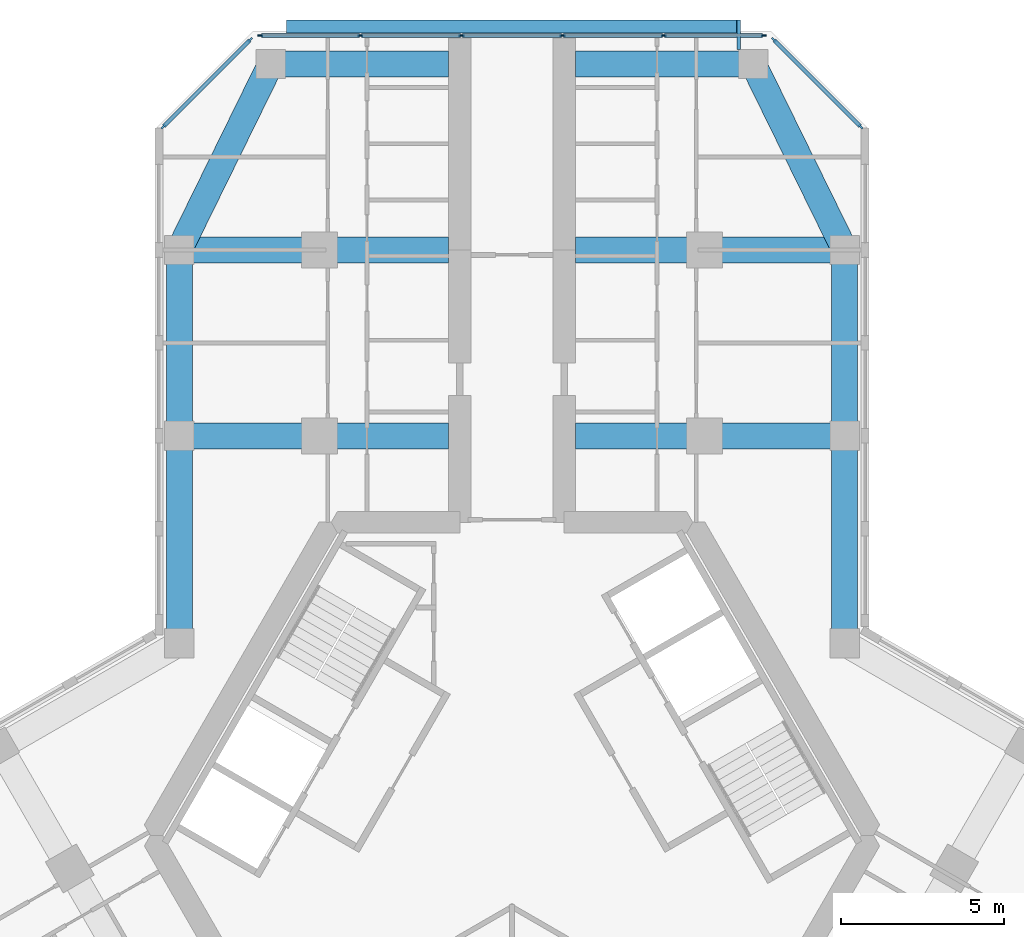
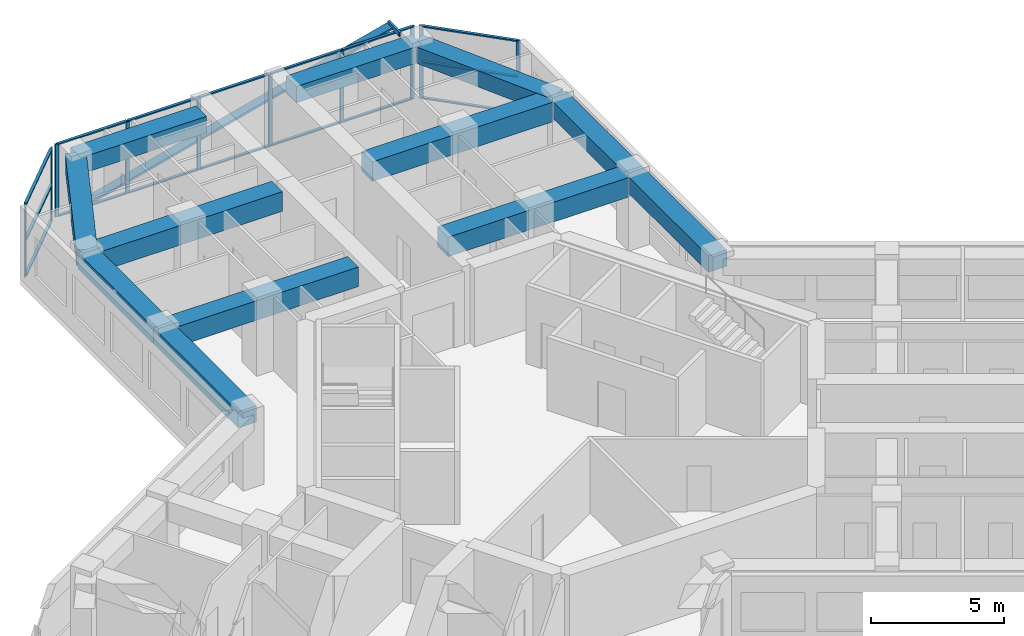
# One storey, part 6 of 16: 28 members, 12 beams, 3 elements without a shape of their own.
"""IFC4 building model written with IfcOpenShell, lengths in metres."""

from ifc_helpers import new_model, si_unit, direction, frame, origin, origin_2d, place, context, subcontext, project, spatial, rectangle, hollow_rectangle, extrude, material, material_profile, profile_set, type_object, element, aggregate, save


model = new_model("IFC4")

# Units and contexts
model_context = context("Model", 3, precision=1e-05, world=origin(), true_north=direction((0.0, 1.0)))
body_context = subcontext(model_context, "Body", "Model", "MODEL_VIEW")
ifc_project = project(units=[si_unit("LENGTHUNIT", "METRE"), si_unit("AREAUNIT", "SQUARE_METRE"), si_unit("VOLUMEUNIT", "CUBIC_METRE"), si_unit("PLANEANGLEUNIT", "RADIAN"), si_unit("MASSUNIT", "GRAM", prefix="KILO")], contexts=[model_context])

# Site, building, storey
site_placement = place(None, origin())
site = spatial("IfcSite", under=ifc_project, at=site_placement, CompositionType="ELEMENT")
building_placement = place(site_placement, origin())
building = spatial("IfcBuilding", under=site, at=building_placement, Name="Kosmar Iwan School Tower", CompositionType="ELEMENT")
storey_placement = place(building_placement, frame((0.0, 0.0, 211.800048828125)))
storey = spatial("IfcBuildingStorey", under=building, at=storey_placement, Name="L53", CompositionType="ELEMENT", Elevation=211.800048828125)

# Members
ifc_material_1 = material(Name="Black anodised aluminium", Category="aluminium")
ifc_material_profile_1 = material_profile(ifc_material_1, rectangle(XDim=0.10009765625, YDim=0.39990234375, at=origin_2d()), Name="FIN 100x400")
ifc_profile_set_1 = profile_set([ifc_material_profile_1], Name="Black anodised aluminium")
member_type_1 = type_object("IfcMemberType", Name="Diagonal fin 100x400", PredefinedType="USERDEFINED", material=ifc_profile_set_1)
member_1_placement = place(storey_placement, frame((-6.898193359375, 24.800048828125, -0.150146484375), z_axis=(0.967599450335, 0.0, 0.252490205179), x_axis=(-0.252490205179, 0.0, 0.967599450335)))
element("IfcMember", 1, at=member_1_placement, inside=storey, type_object=member_type_1, Name="Diagonal fin L53-F06", ObjectType="FIN", PredefinedType="USERDEFINED", context=body_context, shape_type="SweptSolid", body=[
    extrude(rectangle(XDim=0.10009765625, YDim=0.39990234375, at=origin_2d()), origin(), (0.0, 0.0, 1.0), 14.25830078125),
])
ifc_material_2 = material(Name="Steel S355", Category="steel")
ifc_material_profile_2 = material_profile(ifc_material_2, hollow_rectangle(XDim=0.10009765625, YDim=0.199951171875, WallThickness=0.008056640625, at=origin_2d()), Name="RHS 200x100x8")
ifc_profile_set_2 = profile_set([ifc_material_profile_2], Name="Steel S355")
member_type_2 = type_object("IfcMemberType", Name="Fin bracket RHS 200x100", PredefinedType="USERDEFINED", material=ifc_profile_set_2)
member_2_placement = place(storey_placement, frame((6.949951171875, 24.10009765625, 3.474853515625), z_axis=(0.0, 1.0, 0.0), x_axis=(-1.0, 0.0, 0.0)))
element("IfcMember", 2, at=member_2_placement, inside=storey, type_object=member_type_2, Name="Fin bracket L54", ObjectType="FIN BRACKET", PredefinedType="USERDEFINED", context=body_context, shape_type="SweptSolid", body=[
    extrude(hollow_rectangle(XDim=0.10009765625, YDim=0.199951171875, WallThickness=0.008056640625, at=origin_2d()), origin(), (0.0, 0.0, 1.0), 0.89990234375),
])

# Curtain wall, members
ifc_material_3 = material(Name="Dark glass in black aluminium frame", Category="aluminium")
curtain_wall_type_1 = type_object("IfcCurtainWallType", Name="Chamfer curtain wall dark glass", PredefinedType="USERDEFINED", material=ifc_material_3)
curtain_wall_1_placement = place(storey_placement, origin())
curtain_wall_1 = element("IfcCurtainWall", 3, at=curtain_wall_1_placement, inside=storey, type_object=curtain_wall_type_1, Name="Curtain wall L53-F05", ObjectType="FACETED CURTAIN WALL", PredefinedType="USERDEFINED")
ifc_material_4 = material(Name="Black anodised aluminium", Category="aluminium")
ifc_material_profile_3 = material_profile(ifc_material_4, rectangle(XDim=0.06005859375, YDim=0.159912109375, at=origin_2d()), Name="MULLION 60x160")
ifc_profile_set_3 = profile_set([ifc_material_profile_3], Name="Black anodised aluminium")
member_type_3 = type_object("IfcMemberType", Name="Mullion 60x160", PredefinedType="MULLION", material=ifc_profile_set_3)
member_3_placement = place(storey_placement, frame((10.69775390625, 21.7255859375, 0.0), z_axis=(0.0, 0.0, 1.0), x_axis=(-0.707106781187, -0.707106781187, 0.0)))
member_3 = element("IfcMember", 4, at=member_3_placement, type_object=member_type_3, Name="CW2 mullion 1", PredefinedType="MULLION", context=body_context, shape_type="SweptSolid", body=[
    extrude(rectangle(XDim=0.06005859375, YDim=0.159912109375, at=origin_2d()), origin(), (0.0, 0.0, 1.0), 3.349853515625),
])
member_4_placement = place(storey_placement, frame((8.025390625, 24.397705078125, 0.0), z_axis=(0.0, 0.0, 1.0), x_axis=(-0.707106781187, -0.707106781187, 0.0)))
member_4 = element("IfcMember", 5, at=member_4_placement, type_object=member_type_3, Name="CW2 mullion 2", PredefinedType="MULLION", context=body_context, shape_type="SweptSolid", body=[
    extrude(rectangle(XDim=0.06005859375, YDim=0.159912109375, at=origin_2d()), origin(), (0.0, 0.0, 1.0), 3.349853515625),
])

ifc_material_5 = material(Name="Dark glass in black aluminium frame", Category="aluminium")
curtain_wall_type_2 = type_object("IfcCurtainWallType", Name="Tower curtain wall dark glass", PredefinedType="USERDEFINED", material=ifc_material_5)
curtain_wall_2_placement = place(storey_placement, origin())
curtain_wall_2 = element("IfcCurtainWall", 6, at=curtain_wall_2_placement, inside=storey, type_object=curtain_wall_type_2, Name="Curtain wall L53-F06", ObjectType="UNITISED CURTAIN WALL", PredefinedType="USERDEFINED")
member_5_placement = place(storey_placement, frame((7.71826171875, 24.52490234375, 0.0), z_axis=(0.0, 0.0, 1.0), x_axis=(0.0, -1.0, 0.0)))
member_5 = element("IfcMember", 7, at=member_5_placement, type_object=member_type_3, Name="CW1 mullion 1", PredefinedType="MULLION", context=body_context, shape_type="SweptSolid", body=[
    extrude(rectangle(XDim=0.06005859375, YDim=0.159912109375, at=origin_2d()), origin(), (0.0, 0.0, 1.0), 3.349853515625),
])
member_6_placement = place(storey_placement, frame((4.64892578125, 24.52490234375, 0.0), z_axis=(0.0, 0.0, 1.0), x_axis=(0.0, -1.0, 0.0)))
member_6 = element("IfcMember", 8, at=member_6_placement, type_object=member_type_3, Name="CW1 mullion 2", PredefinedType="MULLION", context=body_context, shape_type="SweptSolid", body=[
    extrude(rectangle(XDim=0.06005859375, YDim=0.159912109375, at=origin_2d()), origin(), (0.0, 0.0, 1.0), 3.349853515625),
])
member_7_placement = place(storey_placement, frame((1.549560546875, 24.52490234375, 0.0), z_axis=(0.0, 0.0, 1.0), x_axis=(0.0, -1.0, 0.0)))
member_7 = element("IfcMember", 9, at=member_7_placement, type_object=member_type_3, Name="CW1 mullion 3", PredefinedType="MULLION", context=body_context, shape_type="SweptSolid", body=[
    extrude(rectangle(XDim=0.06005859375, YDim=0.159912109375, at=origin_2d()), origin(), (0.0, 0.0, 1.0), 3.349853515625),
])
member_8_placement = place(storey_placement, frame((-1.549560546875, 24.52490234375, 0.0), z_axis=(0.0, 0.0, 1.0), x_axis=(0.0, -1.0, 0.0)))
member_8 = element("IfcMember", 10, at=member_8_placement, type_object=member_type_3, Name="CW1 mullion 4", PredefinedType="MULLION", context=body_context, shape_type="SweptSolid", body=[
    extrude(rectangle(XDim=0.06005859375, YDim=0.159912109375, at=origin_2d()), origin(), (0.0, 0.0, 1.0), 3.349853515625),
])
member_9_placement = place(storey_placement, frame((-4.64892578125, 24.52490234375, 0.0), z_axis=(0.0, 0.0, 1.0), x_axis=(0.0, -1.0, 0.0)))
member_9 = element("IfcMember", 11, at=member_9_placement, type_object=member_type_3, Name="CW1 mullion 5", PredefinedType="MULLION", context=body_context, shape_type="SweptSolid", body=[
    extrude(rectangle(XDim=0.06005859375, YDim=0.159912109375, at=origin_2d()), origin(), (0.0, 0.0, 1.0), 3.349853515625),
])
member_10_placement = place(storey_placement, frame((-7.71826171875, 24.52490234375, 0.0), z_axis=(0.0, 0.0, 1.0), x_axis=(0.0, -1.0, 0.0)))
member_10 = element("IfcMember", 12, at=member_10_placement, type_object=member_type_3, Name="CW1 mullion 6", PredefinedType="MULLION", context=body_context, shape_type="SweptSolid", body=[
    extrude(rectangle(XDim=0.06005859375, YDim=0.159912109375, at=origin_2d()), origin(), (0.0, 0.0, 1.0), 3.349853515625),
])

curtain_wall_3_placement = place(storey_placement, origin())
curtain_wall_3 = element("IfcCurtainWall", 13, at=curtain_wall_3_placement, inside=storey, type_object=curtain_wall_type_1, Name="Curtain wall L53-F07", ObjectType="FACETED CURTAIN WALL", PredefinedType="USERDEFINED")
member_11_placement = place(storey_placement, frame((-8.025390625, 24.397705078125, 0.0), z_axis=(0.0, 0.0, 1.0), x_axis=(0.707106781187, -0.707106781187, 0.0)))
member_11 = element("IfcMember", 14, at=member_11_placement, type_object=member_type_3, Name="CW2 mullion 1", PredefinedType="MULLION", context=body_context, shape_type="SweptSolid", body=[
    extrude(rectangle(XDim=0.06005859375, YDim=0.159912109375, at=origin_2d()), origin(), (0.0, 0.0, 1.0), 3.349853515625),
])
member_12_placement = place(storey_placement, frame((-10.69775390625, 21.7255859375, 0.0), z_axis=(0.0, 0.0, 1.0), x_axis=(0.707106781187, -0.707106781187, 0.0)))
member_12 = element("IfcMember", 15, at=member_12_placement, type_object=member_type_3, Name="CW2 mullion 2", PredefinedType="MULLION", context=body_context, shape_type="SweptSolid", body=[
    extrude(rectangle(XDim=0.06005859375, YDim=0.159912109375, at=origin_2d()), origin(), (0.0, 0.0, 1.0), 3.349853515625),
])

# Beams
ifc_material_6 = material(Name="Concrete C50/60", Category="concrete")
ifc_material_profile_4 = material_profile(ifc_material_6, rectangle(XDim=0.800048828125, YDim=0.75, at=origin_2d()), Name="RC 800x750")
ifc_profile_set_4 = profile_set([ifc_material_profile_4], Name="Concrete C50/60")
beam_type_1 = type_object("IfcBeamType", Name="RC edge beam 800x750", PredefinedType="BEAM", material=ifc_profile_set_4)
beam_1_placement = place(storey_placement, frame((-10.199951171875, 5.888916015625, 2.974853515625), z_axis=(0.0, 1.0, 0.0), x_axis=(-1.0, 0.0, 0.0)))
element("IfcBeam", 16, at=beam_1_placement, inside=storey, type_object=beam_type_1, Name="Edge beam AL1", PredefinedType="BEAM", context=body_context, shape_type="SweptSolid", body=[
    extrude(rectangle(XDim=0.800048828125, YDim=0.75, at=origin_2d()), origin(), (0.0, 0.0, 1.0), 6.361083984375),
])
beam_2_placement = place(storey_placement, frame((-10.199951171875, 12.25, 2.974853515625), z_axis=(0.0, 1.0, 0.0), x_axis=(-1.0, 0.0, 0.0)))
element("IfcBeam", 17, at=beam_2_placement, inside=storey, type_object=beam_type_1, Name="Edge beam AL2", PredefinedType="BEAM", context=body_context, shape_type="SweptSolid", body=[
    extrude(rectangle(XDim=0.800048828125, YDim=0.75, at=origin_2d()), origin(), (0.0, 0.0, 1.0), 5.699951171875),
])
beam_3_placement = place(storey_placement, frame((10.199951171875, 5.888916015625, 2.974853515625), z_axis=(0.0, 1.0, 0.0), x_axis=(-1.0, 0.0, 0.0)))
element("IfcBeam", 18, at=beam_3_placement, inside=storey, type_object=beam_type_1, Name="Edge beam AR1", PredefinedType="BEAM", context=body_context, shape_type="SweptSolid", body=[
    extrude(rectangle(XDim=0.800048828125, YDim=0.75, at=origin_2d()), origin(), (0.0, 0.0, 1.0), 6.361083984375),
])
beam_4_placement = place(storey_placement, frame((10.199951171875, 12.25, 2.974853515625), z_axis=(0.0, 1.0, 0.0), x_axis=(-1.0, 0.0, 0.0)))
element("IfcBeam", 19, at=beam_4_placement, inside=storey, type_object=beam_type_1, Name="Edge beam AR2", PredefinedType="BEAM", context=body_context, shape_type="SweptSolid", body=[
    extrude(rectangle(XDim=0.800048828125, YDim=0.75, at=origin_2d()), origin(), (0.0, 0.0, 1.0), 5.699951171875),
])
ifc_material_7 = material(Name="Concrete C50/60", Category="concrete")
ifc_material_profile_5 = material_profile(ifc_material_7, rectangle(XDim=0.800048828125, YDim=0.75, at=origin_2d()), Name="RC 800x750")
ifc_profile_set_5 = profile_set([ifc_material_profile_5], Name="Concrete C50/60")
beam_type_2 = type_object("IfcBeamType", Name="RC tip beam 800x750", PredefinedType="BEAM", material=ifc_profile_set_5)
beam_5_placement = place(storey_placement, frame((-10.199951171875, 17.949951171875, 2.974853515625), z_axis=(0.440913116462, 0.897549788999, 0.0), x_axis=(-0.897549788999, 0.440913116462, 0.0)))
element("IfcBeam", 20, at=beam_5_placement, inside=storey, type_object=beam_type_2, Name="Tip beam AL", PredefinedType="BEAM", context=body_context, shape_type="SweptSolid", body=[
    extrude(rectangle(XDim=0.800048828125, YDim=0.75, at=origin_2d()), origin(), (0.0, 0.0, 1.0), 6.3505859375),
])
beam_6_placement = place(storey_placement, frame((-7.39990234375, 23.64990234375, 2.974853515625), z_axis=(1.0, 0.0, 0.0), x_axis=(0.0, 1.0, 0.0)))
element("IfcBeam", 21, at=beam_6_placement, inside=storey, type_object=beam_type_2, Name="Tip beam AL to corridor wall", PredefinedType="BEAM", context=body_context, shape_type="SweptSolid", body=[
    extrude(rectangle(XDim=0.800048828125, YDim=0.75, at=origin_2d()), origin(), (0.0, 0.0, 1.0), 5.449951171875),
])
beam_7_placement = place(storey_placement, frame((10.199951171875, 17.949951171875, 2.974853515625), z_axis=(-0.440913116462, 0.897549788999, 0.0), x_axis=(-0.897549788999, -0.440913116462, 0.0)))
element("IfcBeam", 22, at=beam_7_placement, inside=storey, type_object=beam_type_2, Name="Tip beam AR", PredefinedType="BEAM", context=body_context, shape_type="SweptSolid", body=[
    extrude(rectangle(XDim=0.800048828125, YDim=0.75, at=origin_2d()), origin(), (0.0, 0.0, 1.0), 6.3505859375),
])
beam_8_placement = place(storey_placement, frame((7.39990234375, 23.64990234375, 2.974853515625), z_axis=(-1.0, 0.0, 0.0), x_axis=(0.0, -1.0, 0.0)))
element("IfcBeam", 23, at=beam_8_placement, inside=storey, type_object=beam_type_2, Name="Tip beam AR to corridor wall", PredefinedType="BEAM", context=body_context, shape_type="SweptSolid", body=[
    extrude(rectangle(XDim=0.800048828125, YDim=0.75, at=origin_2d()), origin(), (0.0, 0.0, 1.0), 5.449951171875),
])
ifc_material_8 = material(Name="Concrete C50/60", Category="concrete")
ifc_material_profile_6 = material_profile(ifc_material_8, rectangle(XDim=0.800048828125, YDim=0.89990234375, at=origin_2d()), Name="RC 800x900")
ifc_profile_set_6 = profile_set([ifc_material_profile_6], Name="Concrete C50/60")
beam_type_3 = type_object("IfcBeamType", Name="RC transverse beam 800x900", PredefinedType="BEAM", material=ifc_profile_set_6)
for number, where, z_axis, x_axis, name in (
    (24, (-10.199951171875, 12.25, 2.89990234375), (1.0, 0.0, 0.0), (0.0, 1.0, 0.0), "Transverse beam AL1"),
    (25, (-10.199951171875, 17.949951171875, 2.89990234375), (1.0, 0.0, 0.0), (0.0, 1.0, 0.0), "Transverse beam AL2"),
    (26, (10.199951171875, 12.25, 2.89990234375), (-1.0, 0.0, 0.0), (0.0, -1.0, 0.0), "Transverse beam AR1"),
    (27, (10.199951171875, 17.949951171875, 2.89990234375), (-1.0, 0.0, 0.0), (0.0, -1.0, 0.0), "Transverse beam AR2"),
):
    element("IfcBeam", number, at=place(storey_placement, frame(where, z_axis=z_axis, x_axis=x_axis)), inside=storey, type_object=beam_type_3, Name=name, PredefinedType="BEAM", context=body_context, shape_type="SweptSolid", body=[
        extrude(rectangle(XDim=0.800048828125, YDim=0.89990234375, at=origin_2d()), origin(), (0.0, 0.0, 1.0), 8.25),
    ])

# Member
ifc_material_9 = material(Name="Black anodised aluminium", Category="aluminium")
ifc_material_profile_7 = material_profile(ifc_material_9, rectangle(XDim=0.1201171875, YDim=0.06005859375, at=origin_2d()), Name="TRANSOM 60x120")
ifc_profile_set_7 = profile_set([ifc_material_profile_7], Name="Black anodised aluminium")
member_type_4 = type_object("IfcMemberType", Name="Transom 60x120", PredefinedType="USERDEFINED", material=ifc_profile_set_7)
member_13_placement = place(storey_placement, frame((10.676513671875, 21.746826171875, 0.030029296875), z_axis=(-0.707139603466, 0.707073957383, 0.0), x_axis=(-0.707073957383, -0.707139603466, 0.0)))
member_13 = element("IfcMember", 28, at=member_13_placement, type_object=member_type_4, Name="CW2 transom 1.1", ObjectType="TRANSOM", PredefinedType="USERDEFINED", context=body_context, shape_type="SweptSolid", body=[
    extrude(rectangle(XDim=0.1201171875, YDim=0.06005859375, at=origin_2d()), origin(), (0.0, 0.0, 1.0), 3.718994140625),
])

member_14_placement = place(storey_placement, frame((10.676513671875, 21.746826171875, 1.675048828125), z_axis=(-0.707139603466, 0.707073957383, 0.0), x_axis=(-0.707073957383, -0.707139603466, 0.0)))
member_14 = element("IfcMember", 29, at=member_14_placement, type_object=member_type_4, Name="CW2 transom 1.2", ObjectType="TRANSOM", PredefinedType="USERDEFINED", context=body_context, shape_type="SweptSolid", body=[
    extrude(rectangle(XDim=0.1201171875, YDim=0.06005859375, at=origin_2d()), origin(), (0.0, 0.0, 1.0), 3.718994140625),
])

member_15_placement = place(storey_placement, frame((10.676513671875, 21.746826171875, 3.320068359375), z_axis=(-0.707139603466, 0.707073957383, 0.0), x_axis=(-0.707073957383, -0.707139603466, 0.0)))
member_15 = element("IfcMember", 30, at=member_15_placement, type_object=member_type_4, Name="CW2 transom 1.3", ObjectType="TRANSOM", PredefinedType="USERDEFINED", context=body_context, shape_type="SweptSolid", body=[
    extrude(rectangle(XDim=0.1201171875, YDim=0.06005859375, at=origin_2d()), origin(), (0.0, 0.0, 1.0), 3.718994140625),
])

aggregate(curtain_wall_1, [member_3, member_4, member_13, member_14, member_15])

member_16_placement = place(storey_placement, frame((7.688232421875, 24.52490234375, 0.030029296875), z_axis=(-1.0, 0.0, 0.0), x_axis=(0.0, -1.0, 0.0)))
member_16 = element("IfcMember", 31, at=member_16_placement, type_object=member_type_4, Name="CW1 transom 1.1", ObjectType="TRANSOM", PredefinedType="USERDEFINED", context=body_context, shape_type="SweptSolid", body=[
    extrude(rectangle(XDim=0.1201171875, YDim=0.06005859375, at=origin_2d()), origin(), (0.0, 0.0, 1.0), 3.00927734375),
])

member_17_placement = place(storey_placement, frame((7.688232421875, 24.52490234375, 3.320068359375), z_axis=(-1.0, 0.0, 0.0), x_axis=(0.0, -1.0, 0.0)))
member_17 = element("IfcMember", 32, at=member_17_placement, type_object=member_type_4, Name="CW1 transom 1.2", ObjectType="TRANSOM", PredefinedType="USERDEFINED", context=body_context, shape_type="SweptSolid", body=[
    extrude(rectangle(XDim=0.1201171875, YDim=0.06005859375, at=origin_2d()), origin(), (0.0, 0.0, 1.0), 3.00927734375),
])

member_18_placement = place(storey_placement, frame((4.618896484375, 24.52490234375, 0.030029296875), z_axis=(-1.0, 0.0, 0.0), x_axis=(0.0, -1.0, 0.0)))
member_18 = element("IfcMember", 33, at=member_18_placement, type_object=member_type_4, Name="CW1 transom 2.1", ObjectType="TRANSOM", PredefinedType="USERDEFINED", context=body_context, shape_type="SweptSolid", body=[
    extrude(rectangle(XDim=0.1201171875, YDim=0.06005859375, at=origin_2d()), origin(), (0.0, 0.0, 1.0), 3.039306640625),
])

member_19_placement = place(storey_placement, frame((4.618896484375, 24.52490234375, 3.320068359375), z_axis=(-1.0, 0.0, 0.0), x_axis=(0.0, -1.0, 0.0)))
member_19 = element("IfcMember", 34, at=member_19_placement, type_object=member_type_4, Name="CW1 transom 2.2", ObjectType="TRANSOM", PredefinedType="USERDEFINED", context=body_context, shape_type="SweptSolid", body=[
    extrude(rectangle(XDim=0.1201171875, YDim=0.06005859375, at=origin_2d()), origin(), (0.0, 0.0, 1.0), 3.039306640625),
])

member_20_placement = place(storey_placement, frame((1.51953125, 24.52490234375, 0.030029296875), z_axis=(-1.0, 0.0, 0.0), x_axis=(0.0, -1.0, 0.0)))
member_20 = element("IfcMember", 35, at=member_20_placement, type_object=member_type_4, Name="CW1 transom 3.1", ObjectType="TRANSOM", PredefinedType="USERDEFINED", context=body_context, shape_type="SweptSolid", body=[
    extrude(rectangle(XDim=0.1201171875, YDim=0.06005859375, at=origin_2d()), origin(), (0.0, 0.0, 1.0), 3.0390625),
])

member_21_placement = place(storey_placement, frame((1.51953125, 24.52490234375, 3.320068359375), z_axis=(-1.0, 0.0, 0.0), x_axis=(0.0, -1.0, 0.0)))
member_21 = element("IfcMember", 36, at=member_21_placement, type_object=member_type_4, Name="CW1 transom 3.2", ObjectType="TRANSOM", PredefinedType="USERDEFINED", context=body_context, shape_type="SweptSolid", body=[
    extrude(rectangle(XDim=0.1201171875, YDim=0.06005859375, at=origin_2d()), origin(), (0.0, 0.0, 1.0), 3.0390625),
])

member_22_placement = place(storey_placement, frame((-1.57958984375, 24.52490234375, 0.030029296875), z_axis=(-1.0, 0.0, 0.0), x_axis=(0.0, -1.0, 0.0)))
member_22 = element("IfcMember", 37, at=member_22_placement, type_object=member_type_4, Name="CW1 transom 4.1", ObjectType="TRANSOM", PredefinedType="USERDEFINED", context=body_context, shape_type="SweptSolid", body=[
    extrude(rectangle(XDim=0.1201171875, YDim=0.06005859375, at=origin_2d()), origin(), (0.0, 0.0, 1.0), 3.039306640625),
])

member_23_placement = place(storey_placement, frame((-1.57958984375, 24.52490234375, 3.320068359375), z_axis=(-1.0, 0.0, 0.0), x_axis=(0.0, -1.0, 0.0)))
member_23 = element("IfcMember", 38, at=member_23_placement, type_object=member_type_4, Name="CW1 transom 4.2", ObjectType="TRANSOM", PredefinedType="USERDEFINED", context=body_context, shape_type="SweptSolid", body=[
    extrude(rectangle(XDim=0.1201171875, YDim=0.06005859375, at=origin_2d()), origin(), (0.0, 0.0, 1.0), 3.039306640625),
])

member_24_placement = place(storey_placement, frame((-4.678955078125, 24.52490234375, 0.030029296875), z_axis=(-1.0, 0.0, 0.0), x_axis=(0.0, -1.0, 0.0)))
member_24 = element("IfcMember", 39, at=member_24_placement, type_object=member_type_4, Name="CW1 transom 5.1", ObjectType="TRANSOM", PredefinedType="USERDEFINED", context=body_context, shape_type="SweptSolid", body=[
    extrude(rectangle(XDim=0.1201171875, YDim=0.06005859375, at=origin_2d()), origin(), (0.0, 0.0, 1.0), 3.00927734375),
])

member_25_placement = place(storey_placement, frame((-4.678955078125, 24.52490234375, 3.320068359375), z_axis=(-1.0, 0.0, 0.0), x_axis=(0.0, -1.0, 0.0)))
member_25 = element("IfcMember", 40, at=member_25_placement, type_object=member_type_4, Name="CW1 transom 5.2", ObjectType="TRANSOM", PredefinedType="USERDEFINED", context=body_context, shape_type="SweptSolid", body=[
    extrude(rectangle(XDim=0.1201171875, YDim=0.06005859375, at=origin_2d()), origin(), (0.0, 0.0, 1.0), 3.00927734375),
])

aggregate(curtain_wall_2, [member_5, member_6, member_7, member_8, member_9, member_10, member_16, member_17, member_18, member_19, member_20, member_21, member_22, member_23, member_24, member_25])

member_26_placement = place(storey_placement, frame((-8.046630859375, 24.37646484375, 0.030029296875), z_axis=(-0.707139603466, -0.707073957383, 0.0), x_axis=(0.707073957383, -0.707139603466, 0.0)))
member_26 = element("IfcMember", 41, at=member_26_placement, type_object=member_type_4, Name="CW2 transom 1.1", ObjectType="TRANSOM", PredefinedType="USERDEFINED", context=body_context, shape_type="SweptSolid", body=[
    extrude(rectangle(XDim=0.1201171875, YDim=0.06005859375, at=origin_2d()), origin(), (0.0, 0.0, 1.0), 3.718994140625),
])

member_27_placement = place(storey_placement, frame((-8.046630859375, 24.37646484375, 1.675048828125), z_axis=(-0.707139603466, -0.707073957383, 0.0), x_axis=(0.707073957383, -0.707139603466, 0.0)))
member_27 = element("IfcMember", 42, at=member_27_placement, type_object=member_type_4, Name="CW2 transom 1.2", ObjectType="TRANSOM", PredefinedType="USERDEFINED", context=body_context, shape_type="SweptSolid", body=[
    extrude(rectangle(XDim=0.1201171875, YDim=0.06005859375, at=origin_2d()), origin(), (0.0, 0.0, 1.0), 3.718994140625),
])

member_28_placement = place(storey_placement, frame((-8.046630859375, 24.37646484375, 3.320068359375), z_axis=(-0.707139603466, -0.707073957383, 0.0), x_axis=(0.707073957383, -0.707139603466, 0.0)))
member_28 = element("IfcMember", 43, at=member_28_placement, type_object=member_type_4, Name="CW2 transom 1.3", ObjectType="TRANSOM", PredefinedType="USERDEFINED", context=body_context, shape_type="SweptSolid", body=[
    extrude(rectangle(XDim=0.1201171875, YDim=0.06005859375, at=origin_2d()), origin(), (0.0, 0.0, 1.0), 3.718994140625),
])

aggregate(curtain_wall_3, [member_11, member_12, member_26, member_27, member_28])

save(model, "model.ifc")
